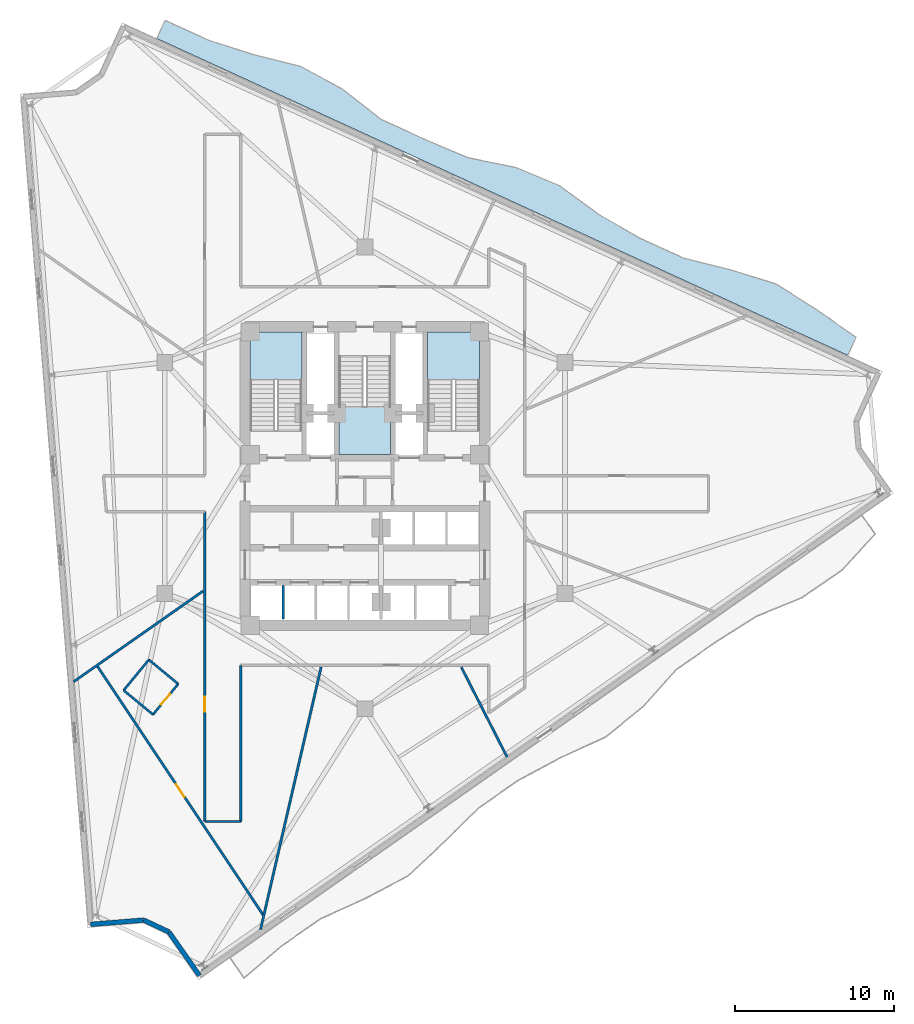
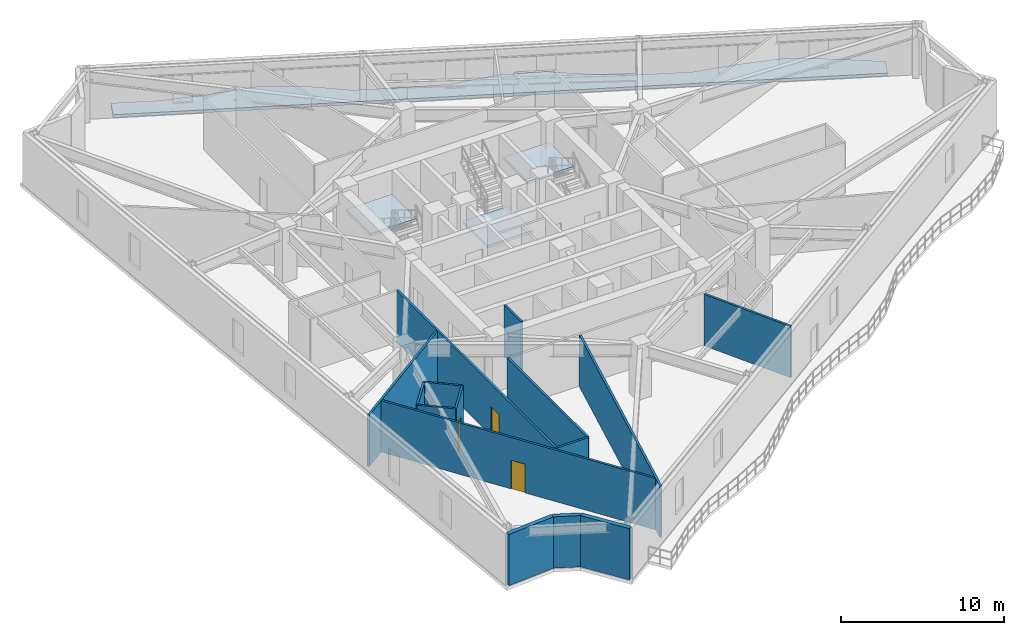
# One storey, part 4 of 10: 15 walls, 4 slabs, 3 doors, 3 openings, 3 elements without a shape of their own.
"""IFC4 building model written with IfcOpenShell, lengths in metres."""

from ifc_helpers import new_model, si_unit, direction, frame, frame_2d, origin, place, context, subcontext, project, spatial, polyline, rectangle, outline, extrude, material, layer, layer_set, type_object, element, fill, aggregate, save


model = new_model("IFC4")

# Units and contexts
model_context = context("Model", 3, precision=1e-05, world=origin(), true_north=direction((0.0, 1.0)))
body_context = subcontext(model_context, "Body", "Model", "MODEL_VIEW")
ifc_project = project(units=[si_unit("LENGTHUNIT", "METRE"), si_unit("AREAUNIT", "SQUARE_METRE"), si_unit("VOLUMEUNIT", "CUBIC_METRE"), si_unit("PLANEANGLEUNIT", "RADIAN"), si_unit("MASSUNIT", "GRAM", prefix="KILO")], contexts=[model_context])

# Site, building, storey
site_placement = place(None, origin())
site = spatial("IfcSite", under=ifc_project, at=site_placement, CompositionType="ELEMENT")
building_placement = place(site_placement, origin())
building = spatial("IfcBuilding", under=site, at=building_placement, Name="Apsidion Concourse Tower", CompositionType="ELEMENT")
storey_placement = place(building_placement, frame((0.0, 0.0, 210.60009765625)))
storey = spatial("IfcBuildingStorey", under=building, at=storey_placement, Name="L49", CompositionType="ELEMENT", Elevation=210.60009765625)

# Slab
ifc_material_1 = material(Name="Concrete C50/60", Category="concrete")
ifc_layer_1 = layer(ifc_material_1, 0.219970703125)
ifc_layer_set_1 = layer_set([ifc_layer_1], Name="Concrete C50/60")
slab_type_1 = type_object("IfcSlabType", Name="SL-BAL-220", PredefinedType="FLOOR", material=ifc_layer_set_1)
slab_1_placement = place(storey_placement, frame((0.0, 0.0, -0.22021484375)))
element("IfcSlab", 1, at=slab_1_placement, inside=storey, type_object=slab_type_1, Name="L49 Face 3 Rippling Balcony Slab", PredefinedType="FLOOR", context=body_context, shape_type="SweptSolid", body=[
    extrude(outline(polyline([(30.32080078125, 7.6865234375), (27.609375, 8.93017578125), (24.898193359375, 10.174072265625), (22.186767578125, 11.417724609375), (19.475341796875, 12.661376953125), (16.76416015625, 13.9052734375), (14.052734375, 15.14892578125), (11.34130859375, 16.392578125), (8.630126953125, 17.636474609375), (5.918701171875, 18.880126953125), (3.20751953125, 20.123779296875), (0.49609375, 21.36767578125), (-2.215087890625, 22.611328125), (-4.926513671875, 23.85498046875), (-7.637939453125, 25.098876953125), (-10.34912109375, 26.342529296875), (-13.060546875, 27.586181640625), (-12.539306640625, 28.722412109375), (-9.827880859375, 27.478759765625), (-6.96630859375, 26.56298828125), (-4.02197265625, 25.827392578125), (-1.393310546875, 24.4033203125), (1.0205078125, 22.510986328125), (3.728515625, 21.260009765625), (6.4765625, 20.09619140625), (9.47802734375, 19.484619140625), (12.23291015625, 18.336181640625), (14.688232421875, 16.5341796875), (17.285400390625, 15.041259765625), (19.99658203125, 13.797607421875), (22.941650390625, 13.0634765625), (25.8154296875, 12.173583984375), (28.357666015625, 10.5615234375), (30.841796875, 8.822509765625), (30.32080078125, 7.6865234375)])), origin(), (0.0, 0.0, 1.0), 0.22021484375),
])

# Stair, slab
ifc_material_2 = material(Name="Precast concrete C40/50", Category="concrete")
stair_type = type_object("IfcStairType", Name="ST-DL-1550", PredefinedType="HALF_TURN_STAIR", material=ifc_material_2)
stair_1_placement = place(storey_placement, origin())
stair_1 = element("IfcStair", 2, at=stair_1_placement, inside=storey, type_object=stair_type, Name="L49 Protected Core Exit Stair ST1", PredefinedType="HALF_TURN_STAIR")
ifc_layer_2 = layer(ifc_material_1, 0.199951171875)
ifc_layer_set_2 = layer_set([ifc_layer_2], Name="Concrete C50/60")
slab_type_2 = type_object("IfcSlabType", Name="SL-ST-LAND-200", PredefinedType="LANDING", material=ifc_layer_set_2)
slab_2_placement = place(storey_placement, frame((0.0, 0.0, 1.849853515625)))
slab_2 = element("IfcSlab", 3, at=slab_2_placement, type_object=slab_type_2, Name="ST1 landing 1", PredefinedType="LANDING", context=body_context, shape_type="SweptSolid", body=[
    extrude(outline(polyline([(-3.949951171875, 6.135009765625), (-3.949951171875, 9.14990234375), (-7.199951171875, 9.14990234375), (-7.199951171875, 6.135009765625), (-3.949951171875, 6.135009765625)])), origin(), (0.0, 0.0, 1.0), 0.199951171875),
])
aggregate(stair_1, [slab_2])

stair_2_placement = place(storey_placement, origin())
stair_2 = element("IfcStair", 4, at=stair_2_placement, inside=storey, type_object=stair_type, Name="L49 Protected Core Exit Stair ST2", PredefinedType="HALF_TURN_STAIR")
slab_3_placement = place(storey_placement, frame((0.0, 0.0, 1.849853515625)))
slab_3 = element("IfcSlab", 5, at=slab_3_placement, type_object=slab_type_2, Name="ST2 landing 1", PredefinedType="LANDING", context=body_context, shape_type="SweptSolid", body=[
    extrude(outline(polyline([(7.199951171875, 6.135009765625), (7.199951171875, 9.14990234375), (3.949951171875, 9.14990234375), (3.949951171875, 6.135009765625), (7.199951171875, 6.135009765625)])), origin(), (0.0, 0.0, 1.0), 0.199951171875),
])
aggregate(stair_2, [slab_3])

stair_3_placement = place(storey_placement, origin())
stair_3 = element("IfcStair", 6, at=stair_3_placement, inside=storey, type_object=stair_type, Name="L49 Protected Core Exit Stair ST3", PredefinedType="HALF_TURN_STAIR")
slab_4_placement = place(storey_placement, frame((0.0, 0.0, 1.849853515625)))
slab_4 = element("IfcSlab", 7, at=slab_4_placement, type_object=slab_type_2, Name="ST3 landing 1", PredefinedType="LANDING", context=body_context, shape_type="SweptSolid", body=[
    extrude(outline(polyline([(-1.625, 4.465087890625), (-1.625, 1.449951171875), (1.625, 1.449951171875), (1.625, 4.465087890625), (-1.625, 4.465087890625)])), origin(), (0.0, 0.0, 1.0), 0.199951171875),
])
aggregate(stair_3, [slab_4])

# Walls
ifc_layer_3 = layer(ifc_material_2, 0.300048828125)
ifc_layer_set_3 = layer_set([ifc_layer_3], Name="Precast concrete C40/50")
wall_type_1 = type_object("IfcWallType", Name="WL-EXT-300", PredefinedType="STANDARD", material=ifc_layer_set_3)
wall_1_placement = place(storey_placement, frame((-10.384033203125, -31.251708984375, 0.0), z_axis=(0.0, 0.0, 1.0), x_axis=(-0.573550493689, 0.819170208925, 0.0)))
element("IfcWall", 8, at=wall_1_placement, inside=storey, type_object=wall_type_1, Name="L49 Precast Stone Facade Wall 06", PredefinedType="STANDARD", context=body_context, shape_type="SweptSolid", body=[
    extrude(rectangle(XDim=3.345703125, YDim=0.300048828125, at=frame_2d((1.6728515625, 0.0))), origin(), (0.0, 0.0, 1.0), 3.849853515625),
])
wall_2_placement = place(storey_placement, frame((-12.302978515625, -28.510986328125, 0.0), z_axis=(0.0, 0.0, 1.0), x_axis=(-0.904974111733, 0.425466634523, 0.0)))
element("IfcWall", 9, at=wall_2_placement, inside=storey, type_object=wall_type_1, Name="L49 Precast Stone Facade Wall 07", PredefinedType="STANDARD", context=body_context, shape_type="SweptSolid", body=[
    extrude(rectangle(XDim=1.743896484375, YDim=0.300048828125, at=frame_2d((0.8720703125, 0.0))), origin(), (0.0, 0.0, 1.0), 3.849853515625),
])
wall_3_placement = place(storey_placement, frame((-13.881103515625, -27.76904296875, 0.0), z_axis=(0.0, 0.0, 1.0), x_axis=(-0.996720145674, -0.080925590567, 0.0)))
element("IfcWall", 10, at=wall_3_placement, inside=storey, type_object=wall_type_1, Name="L49 Precast Stone Facade Wall 08", PredefinedType="STANDARD", context=body_context, shape_type="SweptSolid", body=[
    extrude(rectangle(XDim=3.345703125, YDim=0.300048828125, at=frame_2d((1.6728515625, 0.0))), origin(), (0.0, 0.0, 1.0), 3.849853515625),
])
ifc_material_3 = material(Name="Gypsum plasterboard partition")
ifc_layer_4 = layer(ifc_material_3, 0.139892578125)
ifc_layer_set_4 = layer_set([ifc_layer_4], Name="Gypsum plasterboard partition")
wall_type_2 = type_object("IfcWallType", Name="WL-INT-PAR-140", PredefinedType="PARTITIONING", material=ifc_layer_set_4)
wall_4_placement = place(storey_placement, frame((-13.560302734375, -11.422119140625, 0.0), z_axis=(0.0, 0.0, 1.0), x_axis=(-0.636095558867, -0.77161029023, 0.0)))
element("IfcWall", 11, at=wall_4_placement, inside=storey, type_object=wall_type_2, Name="L49 Interior Partition WL-L49-POD-OFAWC-S1", PredefinedType="PARTITIONING", context=body_context, shape_type="SweptSolid", body=[
    extrude(rectangle(XDim=2.48974609375, YDim=0.139892578125, at=frame_2d((1.244873046875, 0.0))), origin(), (0.0, 0.0, 1.0), 3.849853515625),
])
wall_5_placement = place(storey_placement, frame((-15.14404296875, -13.34326171875, 0.0), z_axis=(0.0, 0.0, 1.0), x_axis=(0.771626441335, -0.636075966401, 0.0)))
element("IfcWall", 12, at=wall_5_placement, inside=storey, type_object=wall_type_2, Name="L49 Interior Partition WL-L49-POD-OFAWC-S2", PredefinedType="PARTITIONING", context=body_context, shape_type="SweptSolid", body=[
    extrude(rectangle(XDim=2.39013671875, YDim=0.139892578125, at=frame_2d((1.195068359375, 0.0))), origin(), (0.0, 0.0, 1.0), 3.849853515625),
])

# Wall, opening, door
wall_6_placement = place(storey_placement, frame((-13.2998046875, -14.863525390625, 0.0), z_axis=(0.0, 0.0, 1.0), x_axis=(0.636047433158, 0.7716499613, 0.0)))
wall_6 = element("IfcWall", 13, at=wall_6_placement, inside=storey, type_object=wall_type_2, Name="L49 Interior Partition WL-L49-POD-OFAWC-S3", PredefinedType="PARTITIONING", context=body_context, shape_type="SweptSolid", body=[
    extrude(rectangle(XDim=2.489990234375, YDim=0.139892578125, at=frame_2d((1.2451171875, 0.0))), origin(), (0.0, 0.0, 1.0), 3.849853515625),
])
opening_1_placement = place(wall_6_placement, frame((0.804931640625, 0.0, 0.0)))
opening_1 = element("IfcOpeningElement", 14, at=opening_1_placement, cuts=wall_6, Name="Opening D-03R", PredefinedType="OPENING", context=body_context, shape_type="SweptSolid", body=[
    extrude(rectangle(XDim=0.8798828125, YDim=2.10009765625, at=frame_2d((0.43994140625, 1.050048828125))), frame((0.0, 0.080078125, 0.0), z_axis=(0.0, -1.0, 0.0), x_axis=(1.0, 0.0, 0.0)), (0.0, 0.0, 1.0), 0.159912109375),
])
ifc_material_4 = material(Name="Anodised aluminium EN AW-6063 T6", Category="aluminium")
door_type_1 = type_object("IfcDoorType", Name="DR-INT-D03R", OperationType="SINGLE_SWING_RIGHT", PredefinedType="DOOR", material=ifc_material_4)
door_1_placement = place(opening_1_placement, origin())
door_1 = element("IfcDoor", 15, at=door_1_placement, inside=storey, type_object=door_type_1, Name="L49 Office Accessible WC Door OFAWC", OperationType="SINGLE_SWING_RIGHT", OverallHeight=2.10009765625, OverallWidth=0.8798828125, PredefinedType="DOOR", context=body_context, shape_type="SweptSolid", body=[
    extrude(rectangle(XDim=0.8798828125, YDim=2.10009765625, at=frame_2d((0.43994140625, 1.050048828125))), frame((0.0, 0.02490234375, 0.0), z_axis=(0.0, -1.0, 0.0), x_axis=(1.0, 0.0, 0.0)), (0.0, 0.0, 1.0), 0.050048828125),
])
fill(opening_1, door_1)

# Walls
wall_7_placement = place(storey_placement, frame((-11.716064453125, -12.942138671875, 0.0), z_axis=(0.0, 0.0, 1.0), x_axis=(-0.771676577794, 0.636015140766, 0.0)))
element("IfcWall", 16, at=wall_7_placement, inside=storey, type_object=wall_type_2, Name="L49 Interior Partition WL-L49-POD-OFAWC-S4", PredefinedType="PARTITIONING", context=body_context, shape_type="SweptSolid", body=[
    extrude(rectangle(XDim=2.389892578125, YDim=0.139892578125, at=frame_2d((1.19482421875, 0.0))), origin(), (0.0, 0.0, 1.0), 3.849853515625),
])
ifc_layer_5 = layer(ifc_material_3, 0.14990234375)
ifc_layer_set_5 = layer_set([ifc_layer_5], Name="Gypsum plasterboard partition")
wall_type_3 = type_object("IfcWallType", Name="WL-INT-PAR-150", PredefinedType="PARTITIONING", material=ifc_layer_set_5)
wall_8_placement = place(storey_placement, frame((-5.125, -8.85009765625, 0.0), z_axis=(0.0, 0.0, 1.0), x_axis=(0.0, 1.0, 0.0)))
element("IfcWall", 17, at=wall_8_placement, inside=storey, type_object=wall_type_3, Name="L49 Interior Partition WL-L49-B2DIV-1", PredefinedType="PARTITIONING", context=body_context, shape_type="SweptSolid", body=[
    extrude(rectangle(XDim=2.080078125, YDim=0.14990234375, at=frame_2d((1.0400390625, 0.0))), origin(), (0.0, 0.0, 1.0), 3.849853515625),
])
wall_9_placement = place(storey_placement, frame((-7.7900390625, -11.77490234375, 0.0), z_axis=(0.0, 0.0, 1.0), x_axis=(0.0, -1.0, 0.0)))
element("IfcWall", 18, at=wall_9_placement, inside=storey, type_object=wall_type_3, Name="L49 Interior Partition WL-L49-CORR-04", PredefinedType="PARTITIONING", context=body_context, shape_type="SweptSolid", body=[
    extrude(rectangle(XDim=9.80517578125, YDim=0.14990234375, at=frame_2d((4.902587890625, 0.0))), origin(), (0.0, 0.0, 1.0), 3.849853515625),
])
wall_10_placement = place(storey_placement, frame((-7.7900390625, -21.580078125, 0.0), z_axis=(0.0, 0.0, 1.0), x_axis=(-1.0, 0.0, 0.0)))
element("IfcWall", 19, at=wall_10_placement, inside=storey, type_object=wall_type_3, Name="L49 Interior Partition WL-L49-CORR-05", PredefinedType="PARTITIONING", context=body_context, shape_type="SweptSolid", body=[
    extrude(rectangle(XDim=2.260009765625, YDim=0.14990234375, at=frame_2d((1.1298828125, 0.0))), origin(), (0.0, 0.0, 1.0), 3.849853515625),
])

# Wall, opening, door
wall_11_placement = place(storey_placement, frame((-10.050048828125, -21.580078125, 0.0), z_axis=(0.0, 0.0, 1.0), x_axis=(0.0, 1.0, 0.0)))
wall_11 = element("IfcWall", 20, at=wall_11_placement, inside=storey, type_object=wall_type_3, Name="L49 Interior Partition WL-L49-CORR-06", PredefinedType="PARTITIONING", context=body_context, shape_type="SweptSolid", body=[
    extrude(rectangle(XDim=19.4501953125, YDim=0.14990234375, at=frame_2d((9.72509765625, 0.0))), origin(), (0.0, 0.0, 1.0), 3.849853515625),
])
opening_2_placement = place(wall_11_placement, frame((6.88671875, 0.0, 0.0)))
opening_2 = element("IfcOpeningElement", 21, at=opening_2_placement, cuts=wall_11, Name="Opening D-01L", PredefinedType="OPENING", context=body_context, shape_type="SweptSolid", body=[
    extrude(rectangle(XDim=0.949951171875, YDim=2.14990234375, at=frame_2d((0.47509765625, 1.074951171875))), frame((0.0, 0.0849609375, 0.0), z_axis=(0.0, -1.0, 0.0), x_axis=(1.0, 0.0, 0.0)), (0.0, 0.0, 1.0), 0.169921875),
])
ifc_material_5 = material(Name="Brushed stainless steel 316", Category="steel")
door_type_2 = type_object("IfcDoorType", Name="DR-INT-D01L", OperationType="SINGLE_SWING_LEFT", PredefinedType="DOOR", material=ifc_material_5)
door_2_placement = place(opening_2_placement, origin())
door_2 = element("IfcDoor", 22, at=door_2_placement, inside=storey, type_object=door_type_2, Name="L49 Corridor Entry Door 01", OperationType="SINGLE_SWING_LEFT", OverallHeight=2.14990234375, OverallWidth=0.949951171875, PredefinedType="DOOR", context=body_context, shape_type="SweptSolid", body=[
    extrude(rectangle(XDim=0.949951171875, YDim=2.14990234375, at=frame_2d((0.47509765625, 1.074951171875))), frame((0.0, 0.02490234375, 0.0), z_axis=(0.0, -1.0, 0.0), x_axis=(1.0, 0.0, 0.0)), (0.0, 0.0, 1.0), 0.050048828125),
])
fill(opening_2, door_2)

# Walls
wall_12_placement = place(storey_placement, frame((-10.155029296875, -7.110595703125, 0.0), z_axis=(0.0, 0.0, 1.0), x_axis=(-0.81915104019, -0.573577870351, 0.0)))
element("IfcWall", 23, at=wall_12_placement, inside=storey, type_object=wall_type_3, Name="L49 Interior Partition WL-L49-RAD-06-1", PredefinedType="PARTITIONING", context=body_context, shape_type="SweptSolid", body=[
    extrude(rectangle(XDim=9.927734375, YDim=0.14990234375, at=frame_2d((4.9638671875, 0.0))), origin(), (0.0, 0.0, 1.0), 3.849853515625),
])
wall_13_placement = place(storey_placement, frame((-2.74267578125, -11.8798828125, 0.0), z_axis=(0.0, 0.0, 1.0), x_axis=(-0.224944873632, -0.974371491694, 0.0)))
element("IfcWall", 24, at=wall_13_placement, inside=storey, type_object=wall_type_3, Name="L49 Interior Partition WL-L49-RAD-07-1", PredefinedType="PARTITIONING", context=body_context, shape_type="SweptSolid", body=[
    extrude(rectangle(XDim=16.918212890625, YDim=0.14990234375, at=frame_2d((8.458984375, 0.0))), origin(), (0.0, 0.0, 1.0), 3.849853515625),
])
wall_14_placement = place(storey_placement, frame((6.05322265625, -11.8798828125, 0.0), z_axis=(0.0, 0.0, 1.0), x_axis=(0.453981183683, -0.891011270895, 0.0)))
element("IfcWall", 25, at=wall_14_placement, inside=storey, type_object=wall_type_3, Name="L49 Interior Partition WL-L49-RAD-08-1", PredefinedType="PARTITIONING", context=body_context, shape_type="SweptSolid", body=[
    extrude(rectangle(XDim=6.337158203125, YDim=0.14990234375, at=frame_2d((3.16845703125, 0.0))), origin(), (0.0, 0.0, 1.0), 3.849853515625),
])

# Wall, opening, door
wall_15_placement = place(storey_placement, frame((-16.807861328125, -11.799560546875, 0.0), z_axis=(0.0, 0.0, 1.0), x_axis=(0.554445846049, -0.832219804979, 0.0)))
wall_15 = element("IfcWall", 26, at=wall_15_placement, inside=storey, type_object=wall_type_3, Name="L49 Interior Partition WL-L49-CHD-OFWC", PredefinedType="PARTITIONING", context=body_context, shape_type="SweptSolid", body=[
    extrude(rectangle(XDim=18.829833984375, YDim=0.14990234375, at=frame_2d((9.4150390625, 0.0))), origin(), (0.0, 0.0, 1.0), 3.849853515625),
])
opening_3_placement = place(wall_15_placement, frame((8.93994140625, 0.0, 0.0)))
opening_3 = element("IfcOpeningElement", 27, at=opening_3_placement, cuts=wall_15, Name="Opening D-04L", PredefinedType="OPENING", context=body_context, shape_type="SweptSolid", body=[
    extrude(rectangle(XDim=0.949951171875, YDim=2.14990234375, at=frame_2d((0.47509765625, 1.074951171875))), frame((0.0, 0.0849609375, 0.0), z_axis=(0.0, -1.0, 0.0), x_axis=(1.0, 0.0, 0.0)), (0.0, 0.0, 1.0), 0.169921875),
])
door_type_3 = type_object("IfcDoorType", Name="DR-INT-D04L", OperationType="SINGLE_SWING_LEFT", PredefinedType="DOOR", material=ifc_material_5)
door_3_placement = place(opening_3_placement, origin())
door_3 = element("IfcDoor", 28, at=door_3_placement, inside=storey, type_object=door_type_3, Name="L49 Suite Connecting Door OFWC", OperationType="SINGLE_SWING_LEFT", OverallHeight=2.14990234375, OverallWidth=0.949951171875, PredefinedType="DOOR", context=body_context, shape_type="SweptSolid", body=[
    extrude(rectangle(XDim=0.949951171875, YDim=2.14990234375, at=frame_2d((0.47509765625, 1.074951171875))), frame((0.0, 0.02490234375, 0.0), z_axis=(0.0, -1.0, 0.0), x_axis=(1.0, 0.0, 0.0)), (0.0, 0.0, 1.0), 0.050048828125),
])
fill(opening_3, door_3)

save(model, "model.ifc")
